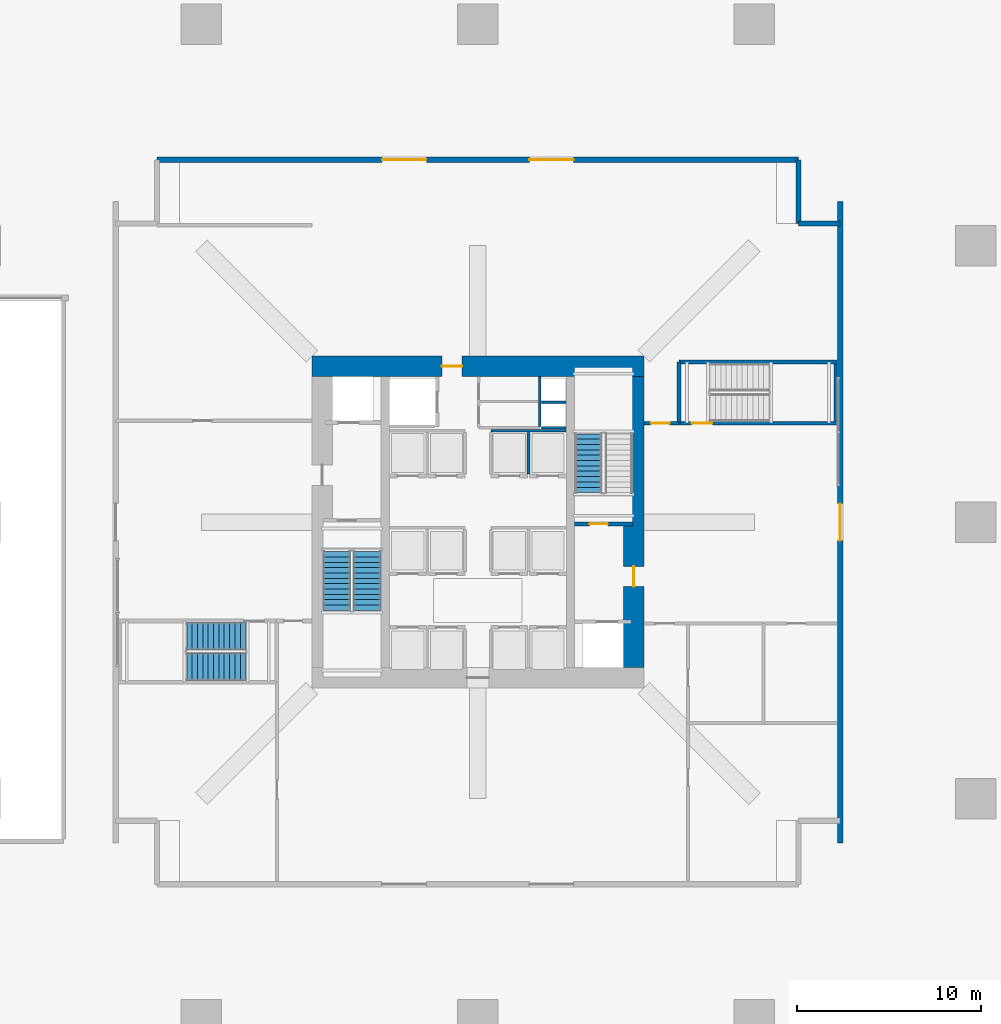
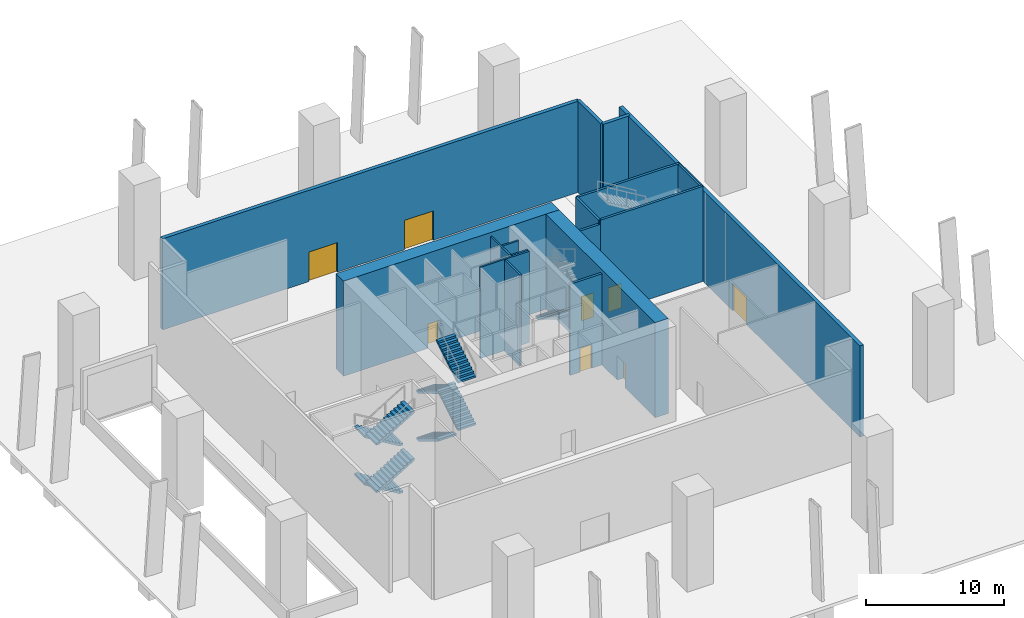
# One storey, part 8 of 12: 17 walls, 9 stair flights, 8 doors, 8 openings, 3 elements without a shape of their own.
"""IFC4 building model written with IfcOpenShell, lengths in metres."""

from ifc_helpers import new_model, si_unit, direction, frame, frame_2d, origin, place, context, subcontext, project, spatial, polyline, rectangle, outline, extrude, material, layer, layer_set, type_object, element, fill, aggregate, save


model = new_model("IFC4")

# Units and contexts
model_context = context("Model", 3, precision=1e-05, world=origin(), true_north=direction((0.0, 1.0)))
body_context = subcontext(model_context, "Body", "Model", "MODEL_VIEW")
ifc_project = project(units=[si_unit("LENGTHUNIT", "METRE"), si_unit("AREAUNIT", "SQUARE_METRE"), si_unit("VOLUMEUNIT", "CUBIC_METRE"), si_unit("PLANEANGLEUNIT", "RADIAN"), si_unit("MASSUNIT", "GRAM", prefix="KILO")], contexts=[model_context])

# Site, building, storey
site_placement = place(None, origin())
site = spatial("IfcSite", under=ifc_project, at=site_placement, CompositionType="ELEMENT")
building_placement = place(site_placement, origin())
building = spatial("IfcBuilding", under=site, at=building_placement, Name="Belovzor Exchange Tower", CompositionType="ELEMENT")
storey_placement = place(building_placement, origin())
storey = spatial("IfcBuildingStorey", under=building, at=storey_placement, Name="L01", CompositionType="ELEMENT", Elevation=0.0)

# Wall, openings, doors
ifc_material_1 = material(Name="Precast concrete C40/50", Category="concrete")
ifc_layer_1 = layer(ifc_material_1, 0.300048828125)
ifc_layer_set_1 = layer_set([ifc_layer_1], Name="Precast concrete C40/50")
wall_type_1 = type_object("IfcWallType", Name="Precast Concrete Concourse Perimeter Wall 300", PredefinedType="SOLIDWALL", material=ifc_layer_set_1)
wall_1_placement = place(storey_placement, frame((11.39990234375, 48.449951171875, 0.0), z_axis=(0.0, 0.0, 1.0), x_axis=(1.0, 0.0, 0.0)))
wall_1 = element("IfcWall", 1, at=wall_1_placement, inside=storey, type_object=wall_type_1, Name="W-CON300 Precast Concrete Concourse Perimeter Wall 300 L01", PredefinedType="SOLIDWALL", context=body_context, shape_type="SweptSolid", body=[
    extrude(rectangle(XDim=34.800048828125, YDim=0.300048828125, at=frame_2d((17.39990234375, 0.0))), origin(), (0.0, 0.0, 1.0), 8.050048828125),
])
opening_1_placement = place(wall_1_placement, frame((12.199951171875, 0.0, 0.0)))
opening_1 = element("IfcOpeningElement", 2, at=opening_1_placement, cuts=wall_1, Name="Opening D-ENT240", PredefinedType="OPENING", context=body_context, shape_type="SweptSolid", body=[
    extrude(rectangle(XDim=2.39990234375, YDim=2.60009765625, at=frame_2d((1.199951171875, 1.300048828125))), frame((0.0, 0.159912109375, 0.0), z_axis=(0.0, -1.0, 0.0), x_axis=(1.0, 0.0, 0.0)), (0.0, 0.0, 1.0), 0.320068359375),
])
opening_2_placement = place(wall_1_placement, frame((20.199951171875, 0.0, 0.0)))
opening_2 = element("IfcOpeningElement", 3, at=opening_2_placement, cuts=wall_1, Name="Opening D-ENT240", PredefinedType="OPENING", context=body_context, shape_type="SweptSolid", body=[
    extrude(rectangle(XDim=2.39990234375, YDim=2.60009765625, at=frame_2d((1.199951171875, 1.300048828125))), frame((0.0, 0.159912109375, 0.0), z_axis=(0.0, -1.0, 0.0), x_axis=(1.0, 0.0, 0.0)), (0.0, 0.0, 1.0), 0.320068359375),
])
ifc_material_2 = material(Name="Thermally Broken Anodised Aluminium and Laminated Glass", Category="aluminium")
door_type_1 = type_object("IfcDoorType", Name="Revolving & Pass Entrance Door Assembly 2400x2600", OperationType="DOUBLE_DOOR_SINGLE_SWING", PredefinedType="DOOR", material=ifc_material_2)
door_1_placement = place(opening_1_placement, origin())
door_1 = element("IfcDoor", 4, at=door_1_placement, inside=storey, type_object=door_type_1, Name="D-ENT240 North Riverfront Entrance N1", OperationType="DOUBLE_DOOR_SINGLE_SWING", OverallHeight=2.60009765625, OverallWidth=2.39990234375, PredefinedType="DOOR", context=body_context, shape_type="SweptSolid", body=[
    extrude(rectangle(XDim=2.39990234375, YDim=2.60009765625, at=frame_2d((1.199951171875, 1.300048828125))), frame((0.0, 0.02490234375, 0.0), z_axis=(0.0, -1.0, 0.0), x_axis=(1.0, 0.0, 0.0)), (0.0, 0.0, 1.0), 0.050048828125),
])
fill(opening_1, door_1)
door_2_placement = place(opening_2_placement, origin())
door_2 = element("IfcDoor", 5, at=door_2_placement, inside=storey, type_object=door_type_1, Name="D-ENT240 North Riverfront Entrance N2", OperationType="DOUBLE_DOOR_SINGLE_SWING", OverallHeight=2.60009765625, OverallWidth=2.39990234375, PredefinedType="DOOR", context=body_context, shape_type="SweptSolid", body=[
    extrude(rectangle(XDim=2.39990234375, YDim=2.60009765625, at=frame_2d((1.199951171875, 1.300048828125))), frame((0.0, 0.02490234375, 0.0), z_axis=(0.0, -1.0, 0.0), x_axis=(1.0, 0.0, 0.0)), (0.0, 0.0, 1.0), 0.050048828125),
])
fill(opening_2, door_2)

# Wall, opening, door
wall_2_placement = place(storey_placement, frame((48.449951171875, 46.199951171875, 0.0), z_axis=(0.0, 0.0, 1.0), x_axis=(0.0, -1.0, 0.0)))
wall_2 = element("IfcWall", 6, at=wall_2_placement, inside=storey, type_object=wall_type_1, Name="W-CON300 Precast Concrete Concourse Perimeter Wall 300 L01", PredefinedType="SOLIDWALL", context=body_context, shape_type="SweptSolid", body=[
    extrude(rectangle(XDim=34.800048828125, YDim=0.300048828125, at=frame_2d((17.39990234375, 0.0))), origin(), (0.0, 0.0, 1.0), 8.050048828125),
])
opening_3_placement = place(wall_2_placement, frame((16.39990234375, 0.0, 0.0)))
opening_3 = element("IfcOpeningElement", 7, at=opening_3_placement, cuts=wall_2, Name="Opening D-EXIT200", PredefinedType="OPENING", context=body_context, shape_type="SweptSolid", body=[
    extrude(rectangle(XDim=2.0, YDim=2.39990234375, at=frame_2d((1.0, 1.199951171875))), frame((0.0, 0.159912109375, 0.0), z_axis=(0.0, -1.0, 0.0), x_axis=(1.0, 0.0, 0.0)), (0.0, 0.0, 1.0), 0.320068359375),
])
ifc_material_3 = material(Name="Thermally Broken Anodised Aluminium and Laminated Glass", Category="aluminium")
door_type_2 = type_object("IfcDoorType", Name="Ground Final Exit Double Fire Door 2000x2400", OperationType="DOUBLE_DOOR_SINGLE_SWING", PredefinedType="DOOR", material=ifc_material_3)
door_3_placement = place(opening_3_placement, origin())
door_3 = element("IfcDoor", 8, at=door_3_placement, inside=storey, type_object=door_type_2, Name="D-EXIT200 East Final Exit Discharge Door", OperationType="DOUBLE_DOOR_SINGLE_SWING", OverallHeight=2.39990234375, OverallWidth=2.0, PredefinedType="DOOR", context=body_context, shape_type="SweptSolid", body=[
    extrude(rectangle(XDim=2.0, YDim=2.39990234375, at=frame_2d((1.0, 1.199951171875))), frame((0.0, 0.02490234375, 0.0), z_axis=(0.0, -1.0, 0.0), x_axis=(1.0, 0.0, 0.0)), (0.0, 0.0, 1.0), 0.050048828125),
])
fill(opening_3, door_3)

# Walls
ifc_material_4 = material(Name="Precast concrete C40/50", Category="concrete")
ifc_layer_2 = layer(ifc_material_4, 0.280029296875)
ifc_layer_set_2 = layer_set([ifc_layer_2], Name="Precast concrete C40/50")
wall_type_2 = type_object("IfcWallType", Name="Precast Concrete Notched Corner Frame Wall 280", PredefinedType="SOLIDWALL", material=ifc_layer_set_2)
wall_3_placement = place(storey_placement, frame((46.199951171875, 48.449951171875, 0.0), z_axis=(0.0, 0.0, 1.0), x_axis=(0.0, -1.0, 0.0)))
element("IfcWall", 9, at=wall_3_placement, inside=storey, type_object=wall_type_2, Name="W-CRN280 Precast Concrete Notched Corner Frame Wall 280 L01", PredefinedType="SOLIDWALL", context=body_context, shape_type="SweptSolid", body=[
    extrude(rectangle(XDim=3.449951171875, YDim=0.280029296875, at=frame_2d((1.72509765625, 0.0))), origin(), (0.0, 0.0, 1.0), 8.050048828125),
])
wall_4_placement = place(storey_placement, frame((46.199951171875, 45.0, 0.0), z_axis=(0.0, 0.0, 1.0), x_axis=(1.0, 0.0, 0.0)))
element("IfcWall", 10, at=wall_4_placement, inside=storey, type_object=wall_type_2, Name="W-CRN280 Precast Concrete Notched Corner Frame Wall 280 L01", PredefinedType="SOLIDWALL", context=body_context, shape_type="SweptSolid", body=[
    extrude(rectangle(XDim=2.25, YDim=0.280029296875, at=frame_2d((1.125, 0.0))), origin(), (0.0, 0.0, 1.0), 8.050048828125),
])

# Wall, opening, door
ifc_material_5 = material(Name="Concrete C40/50", Category="concrete")
ifc_layer_3 = layer(ifc_material_5, 0.199951171875)
ifc_layer_set_3 = layer_set([ifc_layer_3], Name="Concrete C40/50")
wall_type_3 = type_object("IfcWallType", Name="Reinforced Concrete Compartment Wall 200", PredefinedType="PARTITIONING", material=ifc_layer_set_3)
wall_5_placement = place(storey_placement, frame((37.800048828125, 34.1650390625, 0.0), z_axis=(0.0, 0.0, 1.0), x_axis=(1.0, 0.0, 0.0)))
wall_5 = element("IfcWall", 11, at=wall_5_placement, inside=storey, type_object=wall_type_3, Name="W-C200 Partition Wall W-L01-PASE-NW", PredefinedType="PARTITIONING", context=body_context, shape_type="SweptSolid", body=[
    extrude(rectangle(XDim=1.9150390625, YDim=0.199951171875, at=frame_2d((0.95751953125, 0.0))), origin(), (0.0, 0.0, 1.0), 8.050048828125),
])
opening_4_placement = place(wall_5_placement, frame((0.39990234375, 0.0, 0.0)))
opening_4 = element("IfcOpeningElement", 12, at=opening_4_placement, cuts=wall_5, Name="Opening D-FD90-105", PredefinedType="OPENING", context=body_context, shape_type="SweptSolid", body=[
    extrude(rectangle(XDim=1.0, YDim=2.14990234375, at=frame_2d((0.5, 1.074951171875))), frame((0.0, 0.10986328125, 0.0), z_axis=(0.0, -1.0, 0.0), x_axis=(1.0, 0.0, 0.0)), (0.0, 0.0, 1.0), 0.219970703125),
])
ifc_material_6 = material(Name="Fire-Rated Galvanised Steel Leaf", Category="steel")
door_type_3 = type_object("IfcDoorType", Name="Core North Foyer Fire Door 1000x2150", OperationType="NOTDEFINED", PredefinedType="DOOR", material=ifc_material_6)
door_4_placement = place(opening_4_placement, origin())
door_4 = element("IfcDoor", 13, at=door_4_placement, inside=storey, type_object=door_type_3, Name="D-FD90-105 Core North Foyer Fire Door 1000x2150", OperationType="SINGLE_SWING_RIGHT", OverallHeight=2.14990234375, OverallWidth=1.0, PredefinedType="DOOR", context=body_context, shape_type="SweptSolid", body=[
    extrude(rectangle(XDim=1.0, YDim=2.14990234375, at=frame_2d((0.5, 1.074951171875))), frame((0.0, 0.02490234375, 0.0), z_axis=(0.0, -1.0, 0.0), x_axis=(1.0, 0.0, 0.0)), (0.0, 0.0, 1.0), 0.050048828125),
])
fill(opening_4, door_4)

# Walls
ifc_material_7 = material(Name="Concrete C50/60", Category="concrete")
ifc_layer_4 = layer(ifc_material_7, 0.14990234375)
ifc_layer_set_4 = layer_set([ifc_layer_4], Name="Concrete C50/60")
wall_type_4 = type_object("IfcWallType", Name="Reinforced Concrete Core Riser Shear Wall 150", PredefinedType="SHEAR", material=ifc_layer_set_4)
wall_6_placement = place(storey_placement, frame((32.14990234375, 34.0, 0.0), z_axis=(0.0, 0.0, 1.0), x_axis=(0.0, 1.0, 0.0)))
element("IfcWall", 14, at=wall_6_placement, inside=storey, type_object=wall_type_4, Name="W-C150S Core Shaft Wall W-RSR-L01-E", PredefinedType="SHEAR", context=body_context, shape_type="SweptSolid", body=[
    extrude(rectangle(XDim=2.699951171875, YDim=0.14990234375, at=frame_2d((1.35009765625, 0.0))), origin(), (0.0, 0.0, 1.0), 8.050048828125),
])
for number, where, z_axis, x_axis, name in (
    (15, (32.25, 33.925048828125, 0.0), (0.0, 0.0, 1.0), (1.0, 0.0, 0.0), "W-C150S Core Shaft Wall W-RSR-L01-S"),
    (16, (32.25, 35.300048828125, 0.0), (0.0, 0.0, 1.0), (1.0, 0.0, 0.0), "W-C150S Core Shaft Wall W-RSR-L01-M"),
):
    element("IfcWall", number, at=place(storey_placement, frame(where, z_axis=z_axis, x_axis=x_axis)), inside=storey, type_object=wall_type_4, Name=name, PredefinedType="SHEAR", context=body_context, shape_type="SweptSolid", body=[
        extrude(rectangle(XDim=1.330078125, YDim=0.14990234375, at=frame_2d((0.6650390625, 0.0))), origin(), (0.0, 0.0, 1.0), 8.050048828125),
    ])
wall_7_placement = place(storey_placement, frame((29.5, 33.760009765625, 0.0), z_axis=(0.0, 0.0, 1.0), x_axis=(1.0, 0.0, 0.0)))
element("IfcWall", 17, at=wall_7_placement, inside=storey, type_object=wall_type_4, Name="W-C150S Core Shaft Wall W-SHB-L01-PLH-NE", PredefinedType="SHEAR", context=body_context, shape_type="SweptSolid", body=[
    extrude(rectangle(XDim=4.080078125, YDim=0.14990234375, at=frame_2d((2.0400390625, 0.0))), origin(), (0.0, 0.0, 1.0), 8.050048828125),
])
wall_8_placement = place(storey_placement, frame((31.550048828125, 31.419921875, 0.0), z_axis=(0.0, 0.0, 1.0), x_axis=(0.0, 1.0, 0.0)))
element("IfcWall", 18, at=wall_8_placement, inside=storey, type_object=wall_type_4, Name="W-C150S Core Shaft Wall W-SHD-L01-PLH-4", PredefinedType="SHEAR", context=body_context, shape_type="SweptSolid", body=[
    extrude(rectangle(XDim=2.239990234375, YDim=0.14990234375, at=frame_2d((1.1201171875, 0.0))), origin(), (0.0, 0.0, 1.0), 8.050048828125),
])
wall_9_placement = place(storey_placement, frame((48.199951171875, 34.27001953125, 0.0), z_axis=(0.0, 0.0, 1.0), x_axis=(0.0, 1.0, 0.0)))
element("IfcWall", 19, at=wall_9_placement, inside=storey, type_object=wall_type_4, Name="W-C150S Core Shaft Wall W-ST4-L01-E", PredefinedType="SHEAR", context=body_context, shape_type="SweptSolid", body=[
    extrude(rectangle(XDim=3.10986328125, YDim=0.14990234375, at=frame_2d((1.554931640625, 0.0))), origin(), (0.0, 0.0, 1.0), 8.39794921875),
])

# Wall, opening, door
ifc_material_8 = material(Name="Concrete C50/60", Category="concrete")
ifc_layer_5 = layer(ifc_material_8, 0.199951171875)
ifc_layer_set_5 = layer_set([ifc_layer_5], Name="Concrete C50/60")
wall_type_5 = type_object("IfcWallType", Name="Reinforced Concrete Core Shaft Shear Wall 200", PredefinedType="SHEAR", material=ifc_layer_set_5)
wall_10_placement = place(storey_placement, frame((34.050048828125, 28.699951171875, 0.0), z_axis=(0.0, 0.0, 1.0), x_axis=(1.0, 0.0, 0.0)))
wall_10 = element("IfcWall", 20, at=wall_10_placement, inside=storey, type_object=wall_type_5, Name="W-C200S Core Shaft Wall W-CORE-L01-FFLE2", PredefinedType="SHEAR", context=body_context, shape_type="SweptSolid", body=[
    extrude(rectangle(XDim=3.14990234375, YDim=0.199951171875, at=frame_2d((1.574951171875, 0.0))), origin(), (0.0, 0.0, 1.0), 8.050048828125),
])
opening_5_placement = place(wall_10_placement, frame((0.800048828125, 0.0, 0.0)))
opening_5 = element("IfcOpeningElement", 21, at=opening_5_placement, cuts=wall_10, Name="Opening D-FD90-100", PredefinedType="OPENING", context=body_context, shape_type="SweptSolid", body=[
    extrude(rectangle(XDim=1.0, YDim=2.10009765625, at=frame_2d((0.5, 1.050048828125))), frame((0.0, 0.10986328125, 0.0), z_axis=(0.0, -1.0, 0.0), x_axis=(1.0, 0.0, 0.0)), (0.0, 0.0, 1.0), 0.219970703125),
])
ifc_material_9 = material(Name="Fire-Rated Galvanised Steel Leaf", Category="steel")
door_type_4 = type_object("IfcDoorType", Name="Protected Stairwell Single Fire Door 1000x2100", OperationType="NOTDEFINED", PredefinedType="DOOR", material=ifc_material_9)
door_5_placement = place(opening_5_placement, origin())
door_5 = element("IfcDoor", 22, at=door_5_placement, inside=storey, type_object=door_type_4, Name="D-FD90-100 Protected Stairwell Single Fire Door 1000x2100", OperationType="SINGLE_SWING_LEFT", OverallHeight=2.10009765625, OverallWidth=1.0, PredefinedType="DOOR", context=body_context, shape_type="SweptSolid", body=[
    extrude(rectangle(XDim=1.0, YDim=2.10009765625, at=frame_2d((0.5, 1.050048828125))), frame((0.0, 0.02490234375, 0.0), z_axis=(0.0, -1.0, 0.0), x_axis=(1.0, 0.0, 0.0)), (0.0, 0.0, 1.0), 0.050048828125),
])
fill(opening_5, door_5)

wall_11_placement = place(storey_placement, frame((39.715087890625, 34.1650390625, 0.0), z_axis=(0.0, 0.0, 1.0), x_axis=(1.0, 0.0, 0.0)))
wall_11 = element("IfcWall", 23, at=wall_11_placement, inside=storey, type_object=wall_type_5, Name="W-C200S Core Shaft Wall W-ST4-L01-S", PredefinedType="SHEAR", context=body_context, shape_type="SweptSolid", body=[
    extrude(rectangle(XDim=8.56982421875, YDim=0.199951171875, at=frame_2d((4.284912109375, 0.0))), origin(), (0.0, 0.0, 1.0), 8.39794921875),
])
opening_6_placement = place(wall_11_placement, frame((0.699951171875, 0.0, 0.0)))
opening_6 = element("IfcOpeningElement", 24, at=opening_6_placement, cuts=wall_11, Name="Opening D-FD90-110", PredefinedType="OPENING", context=body_context, shape_type="SweptSolid", body=[
    extrude(rectangle(XDim=1.10009765625, YDim=2.14990234375, at=frame_2d((0.550048828125, 1.074951171875))), frame((0.0, 0.10986328125, 0.0), z_axis=(0.0, -1.0, 0.0), x_axis=(1.0, 0.0, 0.0)), (0.0, 0.0, 1.0), 0.219970703125),
])
ifc_material_10 = material(Name="Fire-Rated Galvanised Steel Leaf", Category="steel")
door_type_5 = type_object("IfcDoorType", Name="Protected Escape Vestibule Fire Door 1100x2150", OperationType="NOTDEFINED", PredefinedType="DOOR", material=ifc_material_10)
door_6_placement = place(opening_6_placement, origin())
door_6 = element("IfcDoor", 25, at=door_6_placement, inside=storey, type_object=door_type_5, Name="D-FD90-110 Protected Escape Vestibule Fire Door 1100x2150", OperationType="SINGLE_SWING_RIGHT", OverallHeight=2.14990234375, OverallWidth=1.10009765625, PredefinedType="DOOR", context=body_context, shape_type="SweptSolid", body=[
    extrude(rectangle(XDim=1.10009765625, YDim=2.14990234375, at=frame_2d((0.550048828125, 1.074951171875))), frame((0.0, 0.02490234375, 0.0), z_axis=(0.0, -1.0, 0.0), x_axis=(1.0, 0.0, 0.0)), (0.0, 0.0, 1.0), 0.050048828125),
])
fill(opening_6, door_6)

# Walls
wall_12_placement = place(storey_placement, frame((39.715087890625, 37.485107421875, 0.0), z_axis=(0.0, 0.0, 1.0), x_axis=(1.0, 0.0, 0.0)))
element("IfcWall", 26, at=wall_12_placement, inside=storey, type_object=wall_type_5, Name="W-C200S Core Shaft Wall W-ST4-L01-N", PredefinedType="SHEAR", context=body_context, shape_type="SweptSolid", body=[
    extrude(rectangle(XDim=8.56982421875, YDim=0.199951171875, at=frame_2d((4.284912109375, 0.0))), origin(), (0.0, 0.0, 1.0), 8.39794921875),
])
wall_13_placement = place(storey_placement, frame((39.715087890625, 34.1650390625, 0.0), z_axis=(0.0, 0.0, 1.0), x_axis=(0.0, 1.0, 0.0)))
element("IfcWall", 27, at=wall_13_placement, inside=storey, type_object=wall_type_5, Name="W-C200S Core Shaft Wall W-ST4-L01-W", PredefinedType="SHEAR", context=body_context, shape_type="SweptSolid", body=[
    extrude(rectangle(XDim=3.320068359375, YDim=0.199951171875, at=frame_2d((1.66015625, 0.0))), origin(), (0.0, 0.0, 1.0), 8.39794921875),
])

# Wall, opening, door
ifc_material_11 = material(Name="Concrete C60/75", Category="concrete")
ifc_layer_6 = layer(ifc_material_11, 1.10009765625)
ifc_layer_set_6 = layer_set([ifc_layer_6], Name="Concrete C60/75")
wall_type_6 = type_object("IfcWallType", Name="Reinforced Concrete Core Shear Wall 1100", PredefinedType="SHEAR", material=ifc_layer_set_6)
wall_14_placement = place(storey_placement, frame((19.800048828125, 37.25, 0.0), z_axis=(0.0, 0.0, 1.0), x_axis=(1.0, 0.0, 0.0)))
wall_14 = element("IfcWall", 28, at=wall_14_placement, inside=storey, type_object=wall_type_6, Name="CW-S110 Core Shear Wall L01 N", PredefinedType="SHEAR", context=body_context, shape_type="SweptSolid", body=[
    extrude(rectangle(XDim=18.0, YDim=1.10009765625, at=frame_2d((9.0, 0.0))), origin(), (0.0, 0.0, 1.0), 8.39990234375),
])
opening_7_placement = place(wall_14_placement, frame((7.050048828125, 0.0, 0.0)))
opening_7 = element("IfcOpeningElement", 29, at=opening_7_placement, cuts=wall_14, Name="Opening D-FD90-110", PredefinedType="OPENING", context=body_context, shape_type="SweptSolid", body=[
    extrude(rectangle(XDim=1.10009765625, YDim=2.14990234375, at=frame_2d((0.550048828125, 1.074951171875))), frame((0.0, 0.56005859375, 0.0), z_axis=(0.0, -1.0, 0.0), x_axis=(1.0, 0.0, 0.0)), (0.0, 0.0, 1.0), 1.1201171875),
])
door_7_placement = place(opening_7_placement, origin())
door_7 = element("IfcDoor", 30, at=door_7_placement, inside=storey, type_object=door_type_5, Name="D-FD90-110 Protected Escape Vestibule Fire Door 1100x2150", OperationType="SINGLE_SWING_RIGHT", OverallHeight=2.14990234375, OverallWidth=1.10009765625, PredefinedType="DOOR", context=body_context, shape_type="SweptSolid", body=[
    extrude(rectangle(XDim=1.10009765625, YDim=2.14990234375, at=frame_2d((0.550048828125, 1.074951171875))), frame((0.0, 0.02490234375, 0.0), z_axis=(0.0, -1.0, 0.0), x_axis=(1.0, 0.0, 0.0)), (0.0, 0.0, 1.0), 0.050048828125),
])
fill(opening_7, door_7)

wall_15_placement = place(storey_placement, frame((37.25, 20.89990234375, 0.0), z_axis=(0.0, 0.0, 1.0), x_axis=(0.0, 1.0, 0.0)))
wall_15 = element("IfcWall", 31, at=wall_15_placement, inside=storey, type_object=wall_type_6, Name="CW-S110 Core Shear Wall L01 E", PredefinedType="SHEAR", context=body_context, shape_type="SweptSolid", body=[
    extrude(rectangle(XDim=15.800048828125, YDim=1.10009765625, at=frame_2d((7.89990234375, 0.0))), origin(), (0.0, 0.0, 1.0), 8.39990234375),
])
opening_8_placement = place(wall_15_placement, frame((4.39990234375, 0.0, 0.0)))
opening_8 = element("IfcOpeningElement", 32, at=opening_8_placement, cuts=wall_15, Name="Opening D-FD90-110", PredefinedType="OPENING", context=body_context, shape_type="SweptSolid", body=[
    extrude(rectangle(XDim=1.10009765625, YDim=2.14990234375, at=frame_2d((0.550048828125, 1.074951171875))), frame((0.0, 0.56005859375, 0.0), z_axis=(0.0, -1.0, 0.0), x_axis=(1.0, 0.0, 0.0)), (0.0, 0.0, 1.0), 1.1201171875),
])
door_8_placement = place(opening_8_placement, origin())
door_8 = element("IfcDoor", 33, at=door_8_placement, inside=storey, type_object=door_type_5, Name="D-FD90-110 Protected Escape Vestibule Fire Door 1100x2150", OperationType="SINGLE_SWING_RIGHT", OverallHeight=2.14990234375, OverallWidth=1.10009765625, PredefinedType="DOOR", context=body_context, shape_type="SweptSolid", body=[
    extrude(rectangle(XDim=1.10009765625, YDim=2.14990234375, at=frame_2d((0.550048828125, 1.074951171875))), frame((0.0, 0.02490234375, 0.0), z_axis=(0.0, -1.0, 0.0), x_axis=(1.0, 0.0, 0.0)), (0.0, 0.0, 1.0), 0.050048828125),
])
fill(opening_8, door_8)

# Stair, stair flights
ifc_material_12 = material(Name="Concrete C40/50", Category="concrete")
stair_type_1 = type_object("IfcStairType", Name="Reinforced Concrete Podium Escape Stair 1400", PredefinedType="HALF_TURN_STAIR", material=ifc_material_12)
stair_1_placement = place(storey_placement, origin())
stair_1 = element("IfcStair", 34, at=stair_1_placement, inside=storey, type_object=stair_type_1, Name="L01 ST-3", PredefinedType="HALF_TURN_STAIR")
ifc_material_13 = material(Name="Concrete C40/50", Category="concrete")
stair_flight_type_1 = type_object("IfcStairFlightType", Name="Reinforced Concrete Podium Stair Flight 1400", PredefinedType="STRAIGHT", material=ifc_material_13)
stair_flight_1_placement = place(storey_placement, frame((16.199951171875, 22.60009765625, 0.0), z_axis=(0.0, 0.0, 1.0), x_axis=(-1.0, 0.0, 0.0)))
stair_flight_1 = element("IfcStairFlight", 35, at=stair_flight_1_placement, type_object=stair_flight_type_1, Name="ST-3 flight 1", NumberOfRisers=12, NumberOfTreads=11, PredefinedType="STRAIGHT", RiserHeight=0.175, TreadLength=0.29, context=body_context, shape_type="SweptSolid", body=[
    extrude(outline(polyline([(0.0, 0.0), (0.0, 0.175048828125), (0.2900390625, 0.175048828125), (0.2900390625, 0.35009765625), (0.580078125, 0.35009765625), (0.580078125, 0.52490234375), (0.8701171875, 0.52490234375), (0.8701171875, 0.699951171875), (1.159912109375, 0.699951171875), (1.159912109375, 0.875), (1.449951171875, 0.875), (1.449951171875, 1.050048828125), (1.739990234375, 1.050048828125), (1.739990234375, 1.22509765625), (2.030029296875, 1.22509765625), (2.030029296875, 1.39990234375), (2.320068359375, 1.39990234375), (2.320068359375, 1.574951171875), (2.610107421875, 1.574951171875), (2.610107421875, 1.75), (2.89990234375, 1.75), (2.89990234375, 1.925048828125), (3.18994140625, 1.925048828125), (3.18994140625, 2.10009765625), (3.18994140625, 1.75), (0.2900390625, 0.0), (0.0, 0.0)])), frame((0.0, 0.75, 0.0), z_axis=(0.0, -1.0, 0.0), x_axis=(1.0, 0.0, 0.0)), (0.0, 0.0, 1.0), 1.5),
])
stair_flight_2_placement = place(storey_placement, frame((13.010009765625, 20.949951171875, 2.10009765625), z_axis=(0.0, 0.0, 1.0), x_axis=(1.0, 0.0, 0.0)))
stair_flight_2 = element("IfcStairFlight", 36, at=stair_flight_2_placement, type_object=stair_flight_type_1, Name="ST-3 flight 2", NumberOfRisers=12, NumberOfTreads=11, PredefinedType="STRAIGHT", RiserHeight=0.175, TreadLength=0.29, context=body_context, shape_type="SweptSolid", body=[
    extrude(outline(polyline([(0.0, 0.0), (0.0, 0.175048828125), (0.2900390625, 0.175048828125), (0.2900390625, 0.35009765625), (0.580078125, 0.35009765625), (0.580078125, 0.52490234375), (0.8701171875, 0.52490234375), (0.8701171875, 0.699951171875), (1.159912109375, 0.699951171875), (1.159912109375, 0.875), (1.449951171875, 0.875), (1.449951171875, 1.050048828125), (1.739990234375, 1.050048828125), (1.739990234375, 1.22509765625), (2.030029296875, 1.22509765625), (2.030029296875, 1.39990234375), (2.320068359375, 1.39990234375), (2.320068359375, 1.574951171875), (2.610107421875, 1.574951171875), (2.610107421875, 1.75), (2.89990234375, 1.75), (2.89990234375, 1.925048828125), (3.18994140625, 1.925048828125), (3.18994140625, 2.10009765625), (3.18994140625, 1.75), (0.2900390625, 0.0), (0.0, 0.0)])), frame((0.0, 0.75, 0.0), z_axis=(0.0, -1.0, 0.0), x_axis=(1.0, 0.0, 0.0)), (0.0, 0.0, 1.0), 1.5),
])
stair_flight_3_placement = place(storey_placement, frame((16.199951171875, 22.60009765625, 4.199951171875), z_axis=(0.0, 0.0, 1.0), x_axis=(-1.0, 0.0, 0.0)))
stair_flight_3 = element("IfcStairFlight", 37, at=stair_flight_3_placement, type_object=stair_flight_type_1, Name="ST-3 flight 3", NumberOfRisers=12, NumberOfTreads=11, PredefinedType="STRAIGHT", RiserHeight=0.175, TreadLength=0.29, context=body_context, shape_type="SweptSolid", body=[
    extrude(outline(polyline([(0.0, 0.0), (0.0, 0.175048828125), (0.2900390625, 0.175048828125), (0.2900390625, 0.35009765625), (0.580078125, 0.35009765625), (0.580078125, 0.52490234375), (0.8701171875, 0.52490234375), (0.8701171875, 0.699951171875), (1.159912109375, 0.699951171875), (1.159912109375, 0.875), (1.449951171875, 0.875), (1.449951171875, 1.050048828125), (1.739990234375, 1.050048828125), (1.739990234375, 1.22509765625), (2.030029296875, 1.22509765625), (2.030029296875, 1.39990234375), (2.320068359375, 1.39990234375), (2.320068359375, 1.574951171875), (2.610107421875, 1.574951171875), (2.610107421875, 1.75), (2.89990234375, 1.75), (2.89990234375, 1.925048828125), (3.18994140625, 1.925048828125), (3.18994140625, 2.10009765625), (3.18994140625, 1.75), (0.2900390625, 0.0), (0.0, 0.0)])), frame((0.0, 0.75, 0.0), z_axis=(0.0, -1.0, 0.0), x_axis=(1.0, 0.0, 0.0)), (0.0, 0.0, 1.0), 1.5),
])
stair_flight_4_placement = place(storey_placement, frame((13.010009765625, 20.949951171875, 6.300048828125), z_axis=(0.0, 0.0, 1.0), x_axis=(1.0, 0.0, 0.0)))
stair_flight_4 = element("IfcStairFlight", 38, at=stair_flight_4_placement, type_object=stair_flight_type_1, Name="ST-3 flight 4", NumberOfRisers=12, NumberOfTreads=11, PredefinedType="STRAIGHT", RiserHeight=0.175, TreadLength=0.29, context=body_context, shape_type="SweptSolid", body=[
    extrude(outline(polyline([(0.0, 0.0), (0.0, 0.175048828125), (0.2900390625, 0.175048828125), (0.2900390625, 0.35009765625), (0.580078125, 0.35009765625), (0.580078125, 0.52490234375), (0.8701171875, 0.52490234375), (0.8701171875, 0.699951171875), (1.159912109375, 0.699951171875), (1.159912109375, 0.875), (1.449951171875, 0.875), (1.449951171875, 1.050048828125), (1.739990234375, 1.050048828125), (1.739990234375, 1.22509765625), (2.030029296875, 1.22509765625), (2.030029296875, 1.39990234375), (2.320068359375, 1.39990234375), (2.320068359375, 1.574951171875), (2.610107421875, 1.574951171875), (2.610107421875, 1.75), (2.89990234375, 1.75), (2.89990234375, 1.925048828125), (3.18994140625, 1.925048828125), (3.18994140625, 2.10009765625), (3.18994140625, 1.75), (0.2900390625, 0.0), (0.0, 0.0)])), frame((0.0, 0.75, 0.0), z_axis=(0.0, -1.0, 0.0), x_axis=(1.0, 0.0, 0.0)), (0.0, 0.0, 1.0), 1.5),
])
aggregate(stair_1, [stair_flight_1, stair_flight_2, stair_flight_3, stair_flight_4])

ifc_material_14 = material(Name="Concrete C40/50", Category="concrete")
stair_type_2 = type_object("IfcStairType", Name="Reinforced Concrete Dogleg Escape Stair 1350", PredefinedType="HALF_TURN_STAIR", material=ifc_material_14)
stair_2_placement = place(storey_placement, origin())
stair_2 = element("IfcStair", 39, at=stair_2_placement, inside=storey, type_object=stair_type_2, Name="L01 ST-1", PredefinedType="HALF_TURN_STAIR")
ifc_material_15 = material(Name="Concrete C40/50", Category="concrete")
stair_flight_type_2 = type_object("IfcStairFlightType", Name="Reinforced Concrete Stair Flight 1350", PredefinedType="STRAIGHT", material=ifc_material_15)
stair_flight_5_placement = place(storey_placement, frame((21.14990234375, 27.199951171875, 0.0), z_axis=(0.0, 0.0, 1.0), x_axis=(0.0, -1.0, 0.0)))
stair_flight_5 = element("IfcStairFlight", 40, at=stair_flight_5_placement, type_object=stair_flight_type_2, Name="ST-1 flight 1", NumberOfRisers=12, NumberOfTreads=11, PredefinedType="STRAIGHT", RiserHeight=0.175, TreadLength=0.29, context=body_context, shape_type="SweptSolid", body=[
    extrude(outline(polyline([(0.0, 0.0), (0.0, 0.175048828125), (0.2900390625, 0.175048828125), (0.2900390625, 0.35009765625), (0.580078125, 0.35009765625), (0.580078125, 0.52490234375), (0.8701171875, 0.52490234375), (0.8701171875, 0.699951171875), (1.159912109375, 0.699951171875), (1.159912109375, 0.875), (1.449951171875, 0.875), (1.449951171875, 1.050048828125), (1.739990234375, 1.050048828125), (1.739990234375, 1.22509765625), (2.030029296875, 1.22509765625), (2.030029296875, 1.39990234375), (2.320068359375, 1.39990234375), (2.320068359375, 1.574951171875), (2.610107421875, 1.574951171875), (2.610107421875, 1.75), (2.89990234375, 1.75), (2.89990234375, 1.925048828125), (3.18994140625, 1.925048828125), (3.18994140625, 2.10009765625), (3.18994140625, 1.75), (0.2900390625, 0.0), (0.0, 0.0)])), frame((0.0, 0.75, 0.0), z_axis=(0.0, -1.0, 0.0), x_axis=(1.0, 0.0, 0.0)), (0.0, 0.0, 1.0), 1.5),
])
stair_flight_6_placement = place(storey_placement, frame((22.800048828125, 24.010009765625, 2.10009765625), z_axis=(0.0, 0.0, 1.0), x_axis=(0.0, 1.0, 0.0)))
stair_flight_6 = element("IfcStairFlight", 41, at=stair_flight_6_placement, type_object=stair_flight_type_2, Name="ST-1 flight 2", NumberOfRisers=12, NumberOfTreads=11, PredefinedType="STRAIGHT", RiserHeight=0.175, TreadLength=0.29, context=body_context, shape_type="SweptSolid", body=[
    extrude(outline(polyline([(0.0, 0.0), (0.0, 0.175048828125), (0.2900390625, 0.175048828125), (0.2900390625, 0.35009765625), (0.580078125, 0.35009765625), (0.580078125, 0.52490234375), (0.8701171875, 0.52490234375), (0.8701171875, 0.699951171875), (1.159912109375, 0.699951171875), (1.159912109375, 0.875), (1.449951171875, 0.875), (1.449951171875, 1.050048828125), (1.739990234375, 1.050048828125), (1.739990234375, 1.22509765625), (2.030029296875, 1.22509765625), (2.030029296875, 1.39990234375), (2.320068359375, 1.39990234375), (2.320068359375, 1.574951171875), (2.610107421875, 1.574951171875), (2.610107421875, 1.75), (2.89990234375, 1.75), (2.89990234375, 1.925048828125), (3.18994140625, 1.925048828125), (3.18994140625, 2.10009765625), (3.18994140625, 1.75), (0.2900390625, 0.0), (0.0, 0.0)])), frame((0.0, 0.75, 0.0), z_axis=(0.0, -1.0, 0.0), x_axis=(1.0, 0.0, 0.0)), (0.0, 0.0, 1.0), 1.5),
])
stair_flight_7_placement = place(storey_placement, frame((21.14990234375, 27.199951171875, 4.199951171875), z_axis=(0.0, 0.0, 1.0), x_axis=(0.0, -1.0, 0.0)))
stair_flight_7 = element("IfcStairFlight", 42, at=stair_flight_7_placement, type_object=stair_flight_type_2, Name="ST-1 flight 3", NumberOfRisers=12, NumberOfTreads=11, PredefinedType="STRAIGHT", RiserHeight=0.175, TreadLength=0.29, context=body_context, shape_type="SweptSolid", body=[
    extrude(outline(polyline([(0.0, 0.0), (0.0, 0.175048828125), (0.2900390625, 0.175048828125), (0.2900390625, 0.35009765625), (0.580078125, 0.35009765625), (0.580078125, 0.52490234375), (0.8701171875, 0.52490234375), (0.8701171875, 0.699951171875), (1.159912109375, 0.699951171875), (1.159912109375, 0.875), (1.449951171875, 0.875), (1.449951171875, 1.050048828125), (1.739990234375, 1.050048828125), (1.739990234375, 1.22509765625), (2.030029296875, 1.22509765625), (2.030029296875, 1.39990234375), (2.320068359375, 1.39990234375), (2.320068359375, 1.574951171875), (2.610107421875, 1.574951171875), (2.610107421875, 1.75), (2.89990234375, 1.75), (2.89990234375, 1.925048828125), (3.18994140625, 1.925048828125), (3.18994140625, 2.10009765625), (3.18994140625, 1.75), (0.2900390625, 0.0), (0.0, 0.0)])), frame((0.0, 0.75, 0.0), z_axis=(0.0, -1.0, 0.0), x_axis=(1.0, 0.0, 0.0)), (0.0, 0.0, 1.0), 1.5),
])
stair_flight_8_placement = place(storey_placement, frame((22.800048828125, 24.010009765625, 6.300048828125), z_axis=(0.0, 0.0, 1.0), x_axis=(0.0, 1.0, 0.0)))
stair_flight_8 = element("IfcStairFlight", 43, at=stair_flight_8_placement, type_object=stair_flight_type_2, Name="ST-1 flight 4", NumberOfRisers=12, NumberOfTreads=11, PredefinedType="STRAIGHT", RiserHeight=0.175, TreadLength=0.29, context=body_context, shape_type="SweptSolid", body=[
    extrude(outline(polyline([(0.0, 0.0), (0.0, 0.175048828125), (0.2900390625, 0.175048828125), (0.2900390625, 0.35009765625), (0.580078125, 0.35009765625), (0.580078125, 0.52490234375), (0.8701171875, 0.52490234375), (0.8701171875, 0.699951171875), (1.159912109375, 0.699951171875), (1.159912109375, 0.875), (1.449951171875, 0.875), (1.449951171875, 1.050048828125), (1.739990234375, 1.050048828125), (1.739990234375, 1.22509765625), (2.030029296875, 1.22509765625), (2.030029296875, 1.39990234375), (2.320068359375, 1.39990234375), (2.320068359375, 1.574951171875), (2.610107421875, 1.574951171875), (2.610107421875, 1.75), (2.89990234375, 1.75), (2.89990234375, 1.925048828125), (3.18994140625, 1.925048828125), (3.18994140625, 2.10009765625), (3.18994140625, 1.75), (0.2900390625, 0.0), (0.0, 0.0)])), frame((0.0, 0.75, 0.0), z_axis=(0.0, -1.0, 0.0), x_axis=(1.0, 0.0, 0.0)), (0.0, 0.0, 1.0), 1.5),
])
aggregate(stair_2, [stair_flight_5, stair_flight_6, stair_flight_7, stair_flight_8])

# Stair, stair flight
stair_3_placement = place(storey_placement, origin())
stair_3 = element("IfcStair", 44, at=stair_3_placement, inside=storey, type_object=stair_type_2, Name="L01 ST-2", PredefinedType="HALF_TURN_STAIR")
stair_flight_9_placement = place(storey_placement, frame((34.800048828125, 33.590087890625, 2.10009765625), z_axis=(0.0, 0.0, 1.0), x_axis=(0.0, -1.0, 0.0)))
stair_flight_9 = element("IfcStairFlight", 45, at=stair_flight_9_placement, type_object=stair_flight_type_2, Name="ST-2 flight 2", NumberOfRisers=12, NumberOfTreads=11, PredefinedType="STRAIGHT", RiserHeight=0.175, TreadLength=0.29, context=body_context, shape_type="SweptSolid", body=[
    extrude(outline(polyline([(0.0, 0.0), (0.0, 0.175048828125), (0.2900390625, 0.175048828125), (0.2900390625, 0.35009765625), (0.580078125, 0.35009765625), (0.580078125, 0.52490234375), (0.8701171875, 0.52490234375), (0.8701171875, 0.699951171875), (1.159912109375, 0.699951171875), (1.159912109375, 0.875), (1.449951171875, 0.875), (1.449951171875, 1.050048828125), (1.739990234375, 1.050048828125), (1.739990234375, 1.22509765625), (2.030029296875, 1.22509765625), (2.030029296875, 1.39990234375), (2.320068359375, 1.39990234375), (2.320068359375, 1.574951171875), (2.610107421875, 1.574951171875), (2.610107421875, 1.75), (2.89990234375, 1.75), (2.89990234375, 1.925048828125), (3.18994140625, 1.925048828125), (3.18994140625, 2.10009765625), (3.18994140625, 1.75), (0.2900390625, 0.0), (0.0, 0.0)])), frame((0.0, 0.75, 0.0), z_axis=(0.0, -1.0, 0.0), x_axis=(1.0, 0.0, 0.0)), (0.0, 0.0, 1.0), 1.5),
])
aggregate(stair_3, [stair_flight_9])

save(model, "model.ifc")
